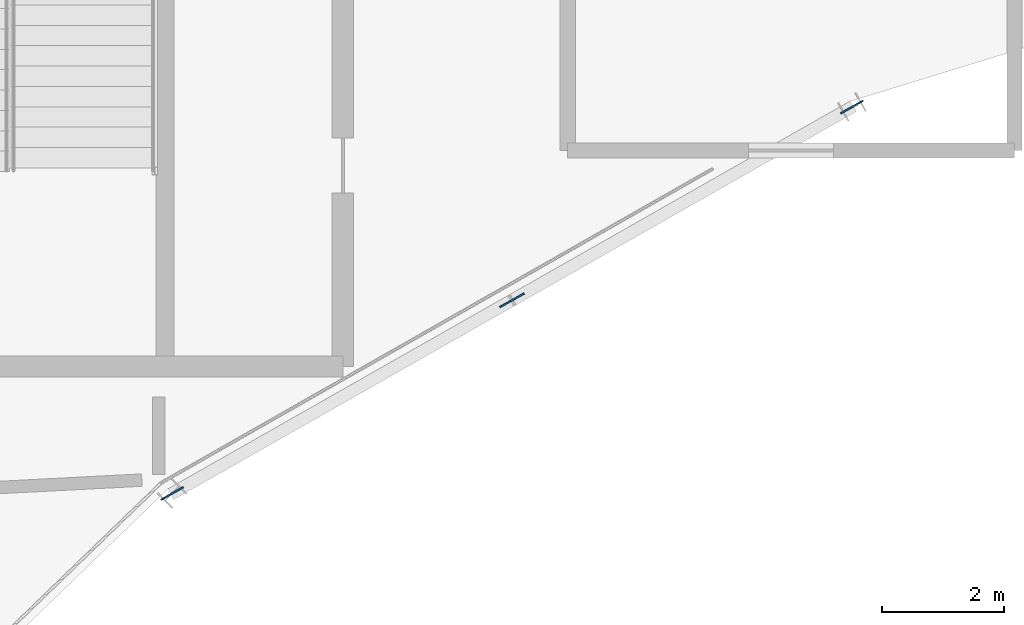
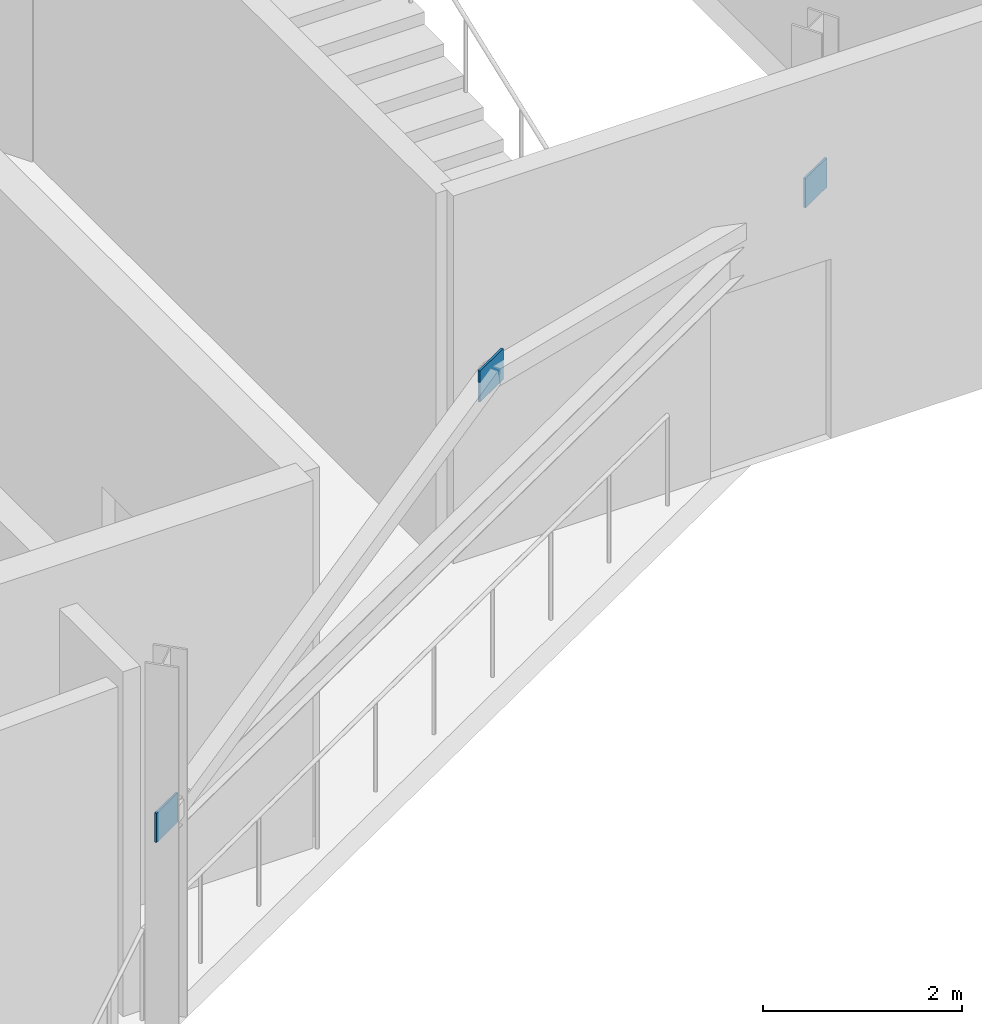
# One storey, part 102 of 126: 3 plates.
"""IFC4 building model written with IfcOpenShell, lengths in metres."""

from ifc_helpers import new_model, si_unit, direction, frame, origin, origin_2d, place, context, subcontext, project, spatial, rectangle, extrude, material, layer, layer_set, type_object, element, save


model = new_model("IFC4")

# Units and contexts
model_context = context("Model", 3, precision=1e-05, world=origin(), true_north=direction((0.0, 1.0)))
body_context = subcontext(model_context, "Body", "Model", "MODEL_VIEW")
ifc_project = project(units=[si_unit("LENGTHUNIT", "METRE"), si_unit("AREAUNIT", "SQUARE_METRE"), si_unit("VOLUMEUNIT", "CUBIC_METRE"), si_unit("PLANEANGLEUNIT", "RADIAN"), si_unit("MASSUNIT", "GRAM", prefix="KILO")], contexts=[model_context])

# Site, building, storey
site_placement = place(None, origin())
site = spatial("IfcSite", under=ifc_project, at=site_placement, CompositionType="ELEMENT")
building_placement = place(site_placement, origin())
building = spatial("IfcBuilding", under=site, at=building_placement, Name="Kalgoora Escarpment Arena", CompositionType="ELEMENT")
storey_placement = place(building_placement, frame((0.0, 0.0, 18.89990234375)))
storey = spatial("IfcBuildingStorey", under=building, at=storey_placement, Name="L04", CompositionType="ELEMENT", Elevation=18.89990234375)

# Plates
ifc_material = material(Name="Structural steel Grade 350 (350 MPa)", Category="steel")
ifc_layer = layer(ifc_material, 0.02490234375)
ifc_layer_set = layer_set([ifc_layer], Name="PLT-GUSSET-25")
plate_type = type_object("IfcPlateType", Name="PLT-GUSSET-25", PredefinedType="USERDEFINED", material=ifc_layer_set)
plate_placement = place(storey_placement, frame((59.80810546875, 95.462646484375, 3.860107421875), z_axis=(0.0, 0.0, 1.0), x_axis=(-0.869408707144, -0.494093614554, 0.0)))
element("IfcPlate", 1, at=plate_placement, inside=storey, type_object=plate_type, Name="L04 chevron gusset cap plate R09", ObjectType="FLANGE PLATE", PredefinedType="USERDEFINED", context=body_context, shape_type="SweptSolid", body=[
    extrude(rectangle(XDim=0.4599609375, YDim=0.02490234375, at=origin_2d()), origin(), (0.0, 0.0, 1.0), 0.3798828125),
])
for number, where, z_axis, x_axis, name in (
    (2, (65.39990234375, 98.64111328125, 2.33984375), (0.0, 0.0, 1.0), (-0.869494929505, -0.493941866584, 0.0), "Brace and post end gusset plate 035"),
    (3, (54.21630859375, 92.2841796875, 2.33984375), (0.0, 0.0, 1.0), (0.869494929505, 0.493941866584, 0.0), "Brace and post end gusset plate 036"),
):
    element("IfcPlate", number, at=place(storey_placement, frame(where, z_axis=z_axis, x_axis=x_axis)), inside=storey, type_object=plate_type, Name=name, ObjectType="FLANGE PLATE", PredefinedType="USERDEFINED", context=body_context, shape_type="SweptSolid", body=[
        extrude(rectangle(XDim=0.419921875, YDim=0.02490234375, at=origin_2d()), origin(), (0.0, 0.0, 1.0), 0.360107421875),
    ])

save(model, "model.ifc")
